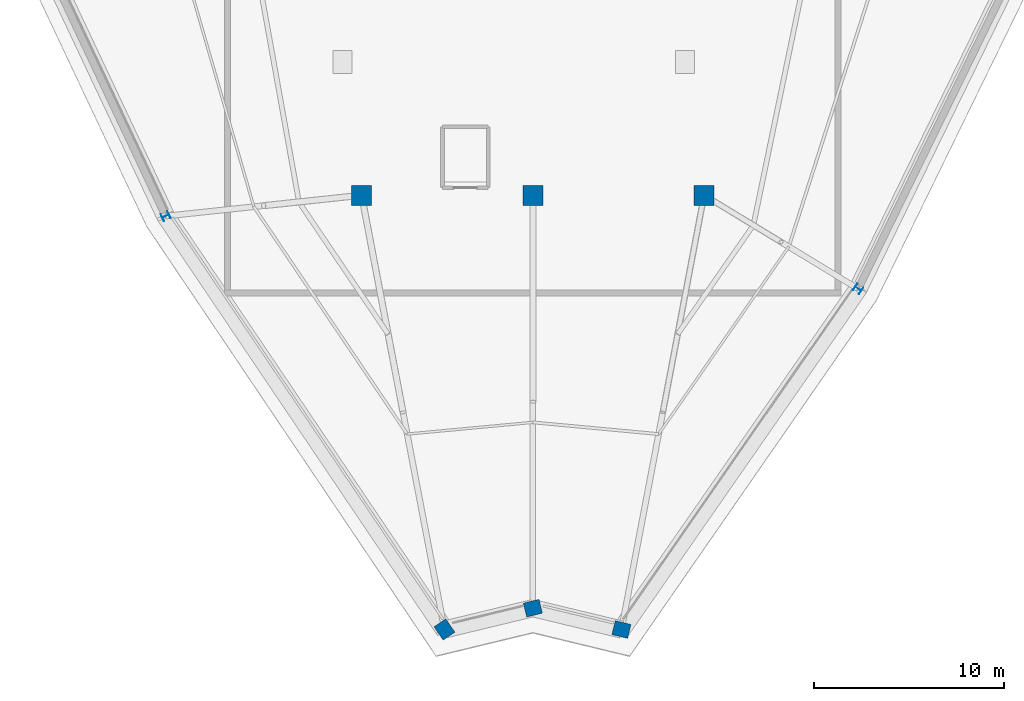
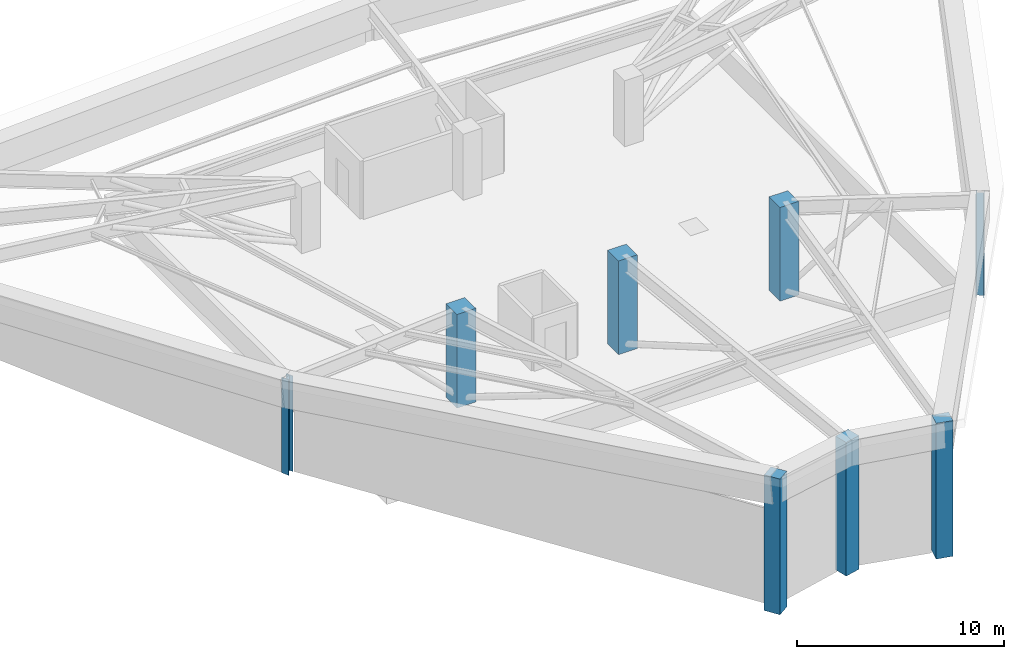
# One storey, part 1 of 6: 8 columns.
"""IFC4 building model written with IfcOpenShell, lengths in metres."""

from ifc_helpers import new_model, si_unit, direction, frame, origin, origin_2d, place, context, subcontext, project, spatial, rectangle, i_section, extrude, source, transform, mapped, material, material_profile, profile_set, type_object, element, save


model = new_model("IFC4")

# Units and contexts
model_context = context("Model", 3, precision=1e-05, world=origin(), true_north=direction((0.0, 1.0)))
body_context = subcontext(model_context, "Body", "Model", "MODEL_VIEW")
ifc_project = project(units=[si_unit("LENGTHUNIT", "METRE"), si_unit("AREAUNIT", "SQUARE_METRE"), si_unit("VOLUMEUNIT", "CUBIC_METRE"), si_unit("PLANEANGLEUNIT", "RADIAN"), si_unit("MASSUNIT", "GRAM", prefix="KILO")], contexts=[model_context])

# Site, building, storey
site_placement = place(None, origin())
site = spatial("IfcSite", under=ifc_project, at=site_placement, CompositionType="ELEMENT")
building_placement = place(site_placement, origin())
building = spatial("IfcBuilding", under=site, at=building_placement, Name="Liaohun Quay Tower", CompositionType="ELEMENT")
storey_placement = place(building_placement, frame((0.0, 0.0, 371.39990234375)))
storey = spatial("IfcBuildingStorey", under=building, at=storey_placement, Name="L95", CompositionType="ELEMENT", Elevation=371.39990234375)

# Columns
ifc_material_1 = material(Name="Concrete C50", Category="concrete")
ifc_material_profile_1 = material_profile(ifc_material_1, rectangle(XDim=1.050048828125, YDim=1.050048828125, at=origin_2d()), Name="RC1050x1050")
ifc_profile_set_1 = profile_set([ifc_material_profile_1], Name="Concrete C50")
column_type_1 = type_object("IfcColumnType", Name="COL-CC-CR", PredefinedType="COLUMN", material=ifc_profile_set_1)
shared_shape_1 = source(origin(), body_context, "Body", "SweptSolid", [
    extrude(rectangle(XDim=1.050048828125, YDim=1.050048828125, at=origin_2d()), origin(), (0.0, 0.0, 1.0), 5.517333984375),
])
for number, where, z_axis, x_axis, name in (
    (1, (51.0, 46.5, 0.0), (0.0, 0.0, 1.0), (1.0, 0.0, 0.0), "L95 Core Column CC1"),
    (2, (60.0, 46.5, 0.0), (0.0, 0.0, 1.0), (1.0, 0.0, 0.0), "L95 Core Column CC2"),
    (3, (69.0, 46.5, 0.0), (0.0, 0.0, 1.0), (1.0, 0.0, 0.0), "L95 Core Column CC3"),
):
    element("IfcColumn", number, at=place(storey_placement, frame(where, z_axis=z_axis, x_axis=x_axis)), inside=storey, type_object=column_type_1, Name=name, PredefinedType="COLUMN", context=body_context, shape_type="MappedRepresentation", body=[
        mapped(shared_shape_1, transform((0.0, 0.0, 0.0), x_axis=(1.0, 0.0, 0.0), y_axis=(0.0, 1.0, 0.0), z_axis=(0.0, 0.0, 1.0), scale=1.0)),
    ])
ifc_material_profile_2 = material_profile(ifc_material_1, rectangle(XDim=0.85009765625, YDim=0.75, at=origin_2d()), Name="RC850x750")
ifc_profile_set_2 = profile_set([ifc_material_profile_2], Name="Concrete C50")
column_type_2 = type_object("IfcColumnType", Name="COL-PIER-CR", PredefinedType="COLUMN", material=ifc_profile_set_2)
shared_shape_2 = source(origin(), body_context, "Body", "SweptSolid", [
    extrude(rectangle(XDim=0.85009765625, YDim=0.75, at=origin_2d()), origin(), (0.0, 0.0, 1.0), 7.99658203125),
])
for number, where, z_axis, x_axis, name in (
    (4, (55.35400390625, 23.677978515625, 0.0), (0.0, 0.0, 1.0), (-0.559192903471, 0.829037572555, 0.0), "L95 Perimeter Pier PC01"),
    (5, (64.655029296875, 23.676025390625, 0.0), (0.0, 0.0, 1.0), (-0.972083987461, 0.234633163303, 0.0), "L95 Perimeter Pier PC11"),
):
    element("IfcColumn", number, at=place(storey_placement, frame(where, z_axis=z_axis, x_axis=x_axis)), inside=storey, type_object=column_type_2, Name=name, PredefinedType="COLUMN", context=body_context, shape_type="MappedRepresentation", body=[
        mapped(shared_shape_2, transform((0.0, 0.0, 0.0), x_axis=(1.0, 0.0, 0.0), y_axis=(0.0, 1.0, 0.0), z_axis=(0.0, 0.0, 1.0), scale=1.0)),
    ])
ifc_material_2 = material(Name="Steel Q355D", Category="steel")
ifc_material_profile_3 = material_profile(ifc_material_2, i_section(OverallWidth=0.39990234375, OverallDepth=0.39990234375, WebThickness=0.012939453125, FlangeThickness=0.02099609375, at=origin_2d()), Name="HW400x400x13x21")
ifc_profile_set_3 = profile_set([ifc_material_profile_3], Name="Steel Q355D")
column_type_3 = type_object("IfcColumnType", Name="COL-STL-CR2", PredefinedType="COLUMN", material=ifc_profile_set_3)
shared_shape_3 = source(origin(), body_context, "Body", "SweptSolid", [
    extrude(i_section(OverallWidth=0.39990234375, OverallDepth=0.39990234375, WebThickness=0.012939453125, FlangeThickness=0.02099609375, at=origin_2d()), origin(), (0.0, 0.0, 1.0), 5.63623046875),
])
column_1_placement = place(storey_placement, frame((40.698974609375, 45.405029296875, 0.0), z_axis=(0.0, 0.0, 1.0), x_axis=(-0.425937207192, 0.90475272618, 0.0)))
element("IfcColumn", 6, at=column_1_placement, inside=storey, type_object=column_type_3, Name="L95 Perimeter Pier PC02", PredefinedType="COLUMN", context=body_context, shape_type="MappedRepresentation", body=[
    mapped(shared_shape_3, transform((0.0, 0.0, 0.0), x_axis=(1.0, 0.0, 0.0), y_axis=(0.0, 1.0, 0.0), z_axis=(0.0, 0.0, 1.0), scale=1.0)),
])
shared_shape_4 = source(origin(), body_context, "Body", "SweptSolid", [
    extrude(i_section(OverallWidth=0.39990234375, OverallDepth=0.39990234375, WebThickness=0.012939453125, FlangeThickness=0.02099609375, at=origin_2d()), origin(), (0.0, 0.0, 1.0), 6.051513671875),
])
column_2_placement = place(storey_placement, frame((77.094970703125, 41.58203125, 0.0), z_axis=(0.0, 0.0, 1.0), x_axis=(0.570570241419, 0.821248804935, 0.0)))
element("IfcColumn", 7, at=column_2_placement, inside=storey, type_object=column_type_3, Name="L95 Perimeter Pier PC10", PredefinedType="COLUMN", context=body_context, shape_type="MappedRepresentation", body=[
    mapped(shared_shape_4, transform((0.0, 0.0, 0.0), x_axis=(1.0, 0.0, 0.0), y_axis=(0.0, 1.0, 0.0), z_axis=(0.0, 0.0, 1.0), scale=1.0)),
])
shared_shape_5 = source(origin(), body_context, "Body", "SweptSolid", [
    extrude(rectangle(XDim=0.85009765625, YDim=0.75, at=origin_2d()), origin(), (0.0, 0.0, 1.0), 7.874755859375),
])
column_3_placement = place(storey_placement, frame((60.0, 24.799072265625, 0.0), z_axis=(0.0, 0.0, 1.0), x_axis=(0.972083987461, 0.234633163303, 0.0)))
element("IfcColumn", 8, at=column_3_placement, inside=storey, type_object=column_type_2, Name="L95 Perimeter Pier PC12", PredefinedType="COLUMN", context=body_context, shape_type="MappedRepresentation", body=[
    mapped(shared_shape_5, transform((0.0, 0.0, 0.0), x_axis=(1.0, 0.0, 0.0), y_axis=(0.0, 1.0, 0.0), z_axis=(0.0, 0.0, 1.0), scale=1.0)),
])

save(model, "model.ifc")
